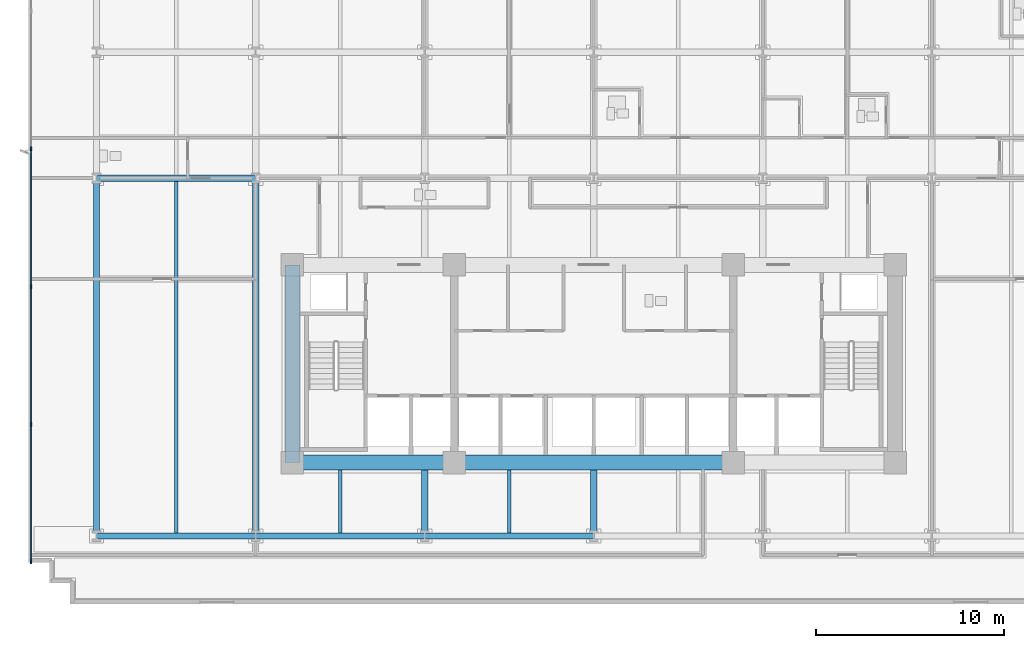
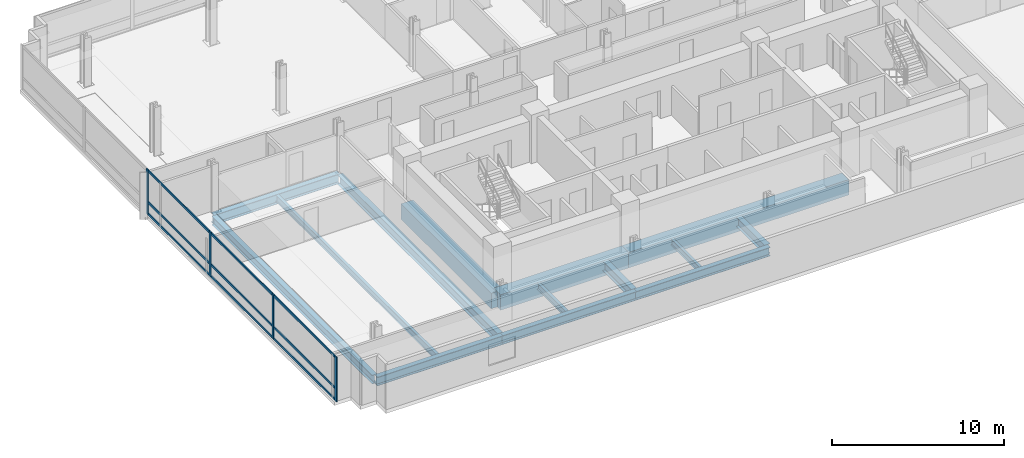
# One storey, part 2 of 17: 14 beams, 13 members, 1 element without a shape of its own.
"""IFC4 building model written with IfcOpenShell, lengths in metres."""

from ifc_helpers import new_model, si_unit, direction, frame, origin, origin_2d, place, context, subcontext, project, spatial, rectangle, i_section, extrude, material, material_profile, profile_set, type_object, element, aggregate, save


model = new_model("IFC4")

# Units and contexts
model_context = context("Model", 3, precision=1e-05, world=origin(), true_north=direction((0.0, 1.0)))
body_context = subcontext(model_context, "Body", "Model", "MODEL_VIEW")
ifc_project = project(units=[si_unit("LENGTHUNIT", "METRE"), si_unit("AREAUNIT", "SQUARE_METRE"), si_unit("VOLUMEUNIT", "CUBIC_METRE"), si_unit("PLANEANGLEUNIT", "RADIAN"), si_unit("MASSUNIT", "GRAM", prefix="KILO")], contexts=[model_context])

# Site, building, storey
site_placement = place(None, origin())
site = spatial("IfcSite", under=ifc_project, at=site_placement, CompositionType="ELEMENT")
building_placement = place(site_placement, origin())
building = spatial("IfcBuilding", under=site, at=building_placement, Name="Solmavex Isthmus Hotel", CompositionType="ELEMENT")
storey_placement = place(building_placement, frame((0.0, 0.0, 40.199951171875)))
storey = spatial("IfcBuildingStorey", under=building, at=storey_placement, Name="L10", CompositionType="ELEMENT", Elevation=40.199951171875)

# Beams
ifc_material_1 = material(Name="Steel ASTM A992 Grade 50", Category="steel")
ifc_material_profile_1 = material_profile(ifc_material_1, i_section(OverallWidth=0.354736328125, OverallDepth=0.695556640625, WebThickness=0.015380859375, FlangeThickness=0.02490234375, FilletRadius=0.017822265625, at=origin_2d()), Name="W27X146")
ifc_profile_set_1 = profile_set([ifc_material_profile_1], Name="Steel ASTM A992 Grade 50")
beam_type_1 = type_object("IfcBeamType", Name="BM-BG-W27X146", PredefinedType="BEAM", material=ifc_profile_set_1)
beam_1_placement = place(storey_placement, frame((-26.39990234375, 2.10009765625, -0.607666015625), z_axis=(1.0, 0.0, 0.0), x_axis=(0.0, 1.0, 0.0)))
element("IfcBeam", 1, at=beam_1_placement, inside=storey, type_object=beam_type_1, Name="Floor Girder L10-UG07", PredefinedType="BEAM", context=body_context, shape_type="SweptSolid", body=[
    extrude(i_section(OverallWidth=0.354736328125, OverallDepth=0.695556640625, WebThickness=0.015380859375, FlangeThickness=0.02490234375, FilletRadius=0.017822265625, at=origin_2d()), origin(), (0.0, 0.0, 1.0), 8.447998046875),
])
beam_2_placement = place(storey_placement, frame((-17.951904296875, -16.73681640625, -0.607666015625), z_axis=(0.0, 1.0, 0.0), x_axis=(-1.0, 0.0, 0.0)))
element("IfcBeam", 2, at=beam_2_placement, inside=storey, type_object=beam_type_1, Name="Floor Beam L10-VG28", PredefinedType="BEAM", context=body_context, shape_type="SweptSolid", body=[
    extrude(i_section(OverallWidth=0.354736328125, OverallDepth=0.695556640625, WebThickness=0.015380859375, FlangeThickness=0.02490234375, FilletRadius=0.017822265625, at=origin_2d()), origin(), (0.0, 0.0, 1.0), 18.659423828125),
])
for number, where, z_axis, x_axis, name in (
    (3, (-8.97607421875, -16.73681640625, -0.607666015625), (0.0, 1.0, 0.0), (-1.0, 0.0, 0.0), "Floor Beam L10-VG31"),
    (4, (0.0, -16.73681640625, -0.607666015625), (0.0, 1.0, 0.0), (-1.0, 0.0, 0.0), "Floor Beam L10-VG35"),
):
    element("IfcBeam", number, at=place(storey_placement, frame(where, z_axis=z_axis, x_axis=x_axis)), inside=storey, type_object=beam_type_1, Name=name, PredefinedType="BEAM", context=body_context, shape_type="SweptSolid", body=[
        extrude(i_section(OverallWidth=0.354736328125, OverallDepth=0.695556640625, WebThickness=0.015380859375, FlangeThickness=0.02490234375, FilletRadius=0.017822265625, at=origin_2d()), origin(), (0.0, 0.0, 1.0), 3.3369140625),
    ])
ifc_material_profile_2 = material_profile(ifc_material_1, i_section(OverallWidth=0.1904296875, OverallDepth=0.456787109375, WebThickness=0.009033203125, FlangeThickness=0.014404296875, FilletRadius=0.0126953125, at=origin_2d()), Name="W18X50")
ifc_profile_set_2 = profile_set([ifc_material_profile_2], Name="Steel ASTM A992 Grade 50")
beam_type_2 = type_object("IfcBeamType", Name="BM-BJ-W18X50", PredefinedType="JOIST", material=ifc_profile_set_2)
beam_3_placement = place(storey_placement, frame((-22.176025390625, -16.73681640625, -0.48828125), z_axis=(0.0, 1.0, 0.0), x_axis=(-1.0, 0.0, 0.0)))
element("IfcBeam", 5, at=beam_3_placement, inside=storey, type_object=beam_type_2, Name="Secondary Floor Joist L10-J01", PredefinedType="JOIST", context=body_context, shape_type="SweptSolid", body=[
    extrude(i_section(OverallWidth=0.1904296875, OverallDepth=0.456787109375, WebThickness=0.009033203125, FlangeThickness=0.014404296875, FilletRadius=0.0126953125, at=origin_2d()), origin(), (0.0, 0.0, 1.0), 18.659423828125),
])
for number, where, z_axis, x_axis, name in (
    (6, (-13.464111328125, -16.73681640625, -0.48828125), (0.0, 1.0, 0.0), (-1.0, 0.0, 0.0), "Secondary Floor Joist L10-J04"),
    (7, (-4.488037109375, -16.73681640625, -0.48828125), (0.0, 1.0, 0.0), (-1.0, 0.0, 0.0), "Secondary Floor Joist L10-J08"),
):
    element("IfcBeam", number, at=place(storey_placement, frame(where, z_axis=z_axis, x_axis=x_axis)), inside=storey, type_object=beam_type_2, Name=name, PredefinedType="JOIST", context=body_context, shape_type="SweptSolid", body=[
        extrude(i_section(OverallWidth=0.1904296875, OverallDepth=0.456787109375, WebThickness=0.009033203125, FlangeThickness=0.014404296875, FilletRadius=0.0126953125, at=origin_2d()), origin(), (0.0, 0.0, 1.0), 3.3369140625),
    ])
ifc_material_2 = material(Name="Concrete C70/85", Category="concrete")
ifc_material_profile_3 = material_profile(ifc_material_2, rectangle(XDim=0.800048828125, YDim=1.10009765625, at=origin_2d()), Name="RC800X1100")
ifc_profile_set_3 = profile_set([ifc_material_profile_3], Name="Concrete C70/85")
beam_type_3 = type_object("IfcBeamType", Name="BM-CB-800X1100", PredefinedType="BEAM", material=ifc_profile_set_3)
beam_4_placement = place(storey_placement, frame((-16.0, -13.0, -0.81005859375), z_axis=(1.0, 0.0, 0.0), x_axis=(0.0, 1.0, 0.0)))
element("IfcBeam", 8, at=beam_4_placement, inside=storey, type_object=beam_type_3, Name="Core Coupling Beam L10-CB1", PredefinedType="BEAM", context=body_context, shape_type="SweptSolid", body=[
    extrude(rectangle(XDim=0.800048828125, YDim=1.10009765625, at=origin_2d()), origin(), (0.0, 0.0, 1.0), 8.60009765625),
])
beam_5_placement = place(storey_placement, frame((-7.39990234375, -13.0, -0.81005859375), z_axis=(1.0, 0.0, 0.0), x_axis=(0.0, 1.0, 0.0)))
element("IfcBeam", 9, at=beam_5_placement, inside=storey, type_object=beam_type_3, Name="Core Coupling Beam L10-CB2", PredefinedType="BEAM", context=body_context, shape_type="SweptSolid", body=[
    extrude(rectangle(XDim=0.800048828125, YDim=1.10009765625, at=origin_2d()), origin(), (0.0, 0.0, 1.0), 14.7998046875),
])
beam_6_placement = place(storey_placement, frame((-16.0, -13.0, -0.81005859375), z_axis=(0.0, 1.0, 0.0), x_axis=(-1.0, 0.0, 0.0)))
element("IfcBeam", 10, at=beam_6_placement, inside=storey, type_object=beam_type_3, Name="Core Coupling Beam L10-CB7", PredefinedType="BEAM", context=body_context, shape_type="SweptSolid", body=[
    extrude(rectangle(XDim=0.800048828125, YDim=1.10009765625, at=origin_2d()), origin(), (0.0, 0.0, 1.0), 10.5),
])
ifc_material_profile_4 = material_profile(ifc_material_1, i_section(OverallWidth=0.326416015625, OverallDepth=0.621826171875, WebThickness=0.015380859375, FlangeThickness=0.0244140625, FilletRadius=0.01513671875, at=origin_2d()), Name="W24X131")
ifc_profile_set_4 = profile_set([ifc_material_profile_4], Name="Steel ASTM A992 Grade 50")
beam_type_4 = type_object("IfcBeamType", Name="BM-SP-W24X131", PredefinedType="SPANDREL", material=ifc_profile_set_4)
beam_7_placement = place(storey_placement, frame((-26.39990234375, -16.89990234375, -0.57080078125), z_axis=(1.0, 0.0, 0.0), x_axis=(0.0, 1.0, 0.0)))
element("IfcBeam", 11, at=beam_7_placement, inside=storey, type_object=beam_type_4, Name="Floor Girder L10-UG01", PredefinedType="SPANDREL", context=body_context, shape_type="SweptSolid", body=[
    extrude(i_section(OverallWidth=0.326416015625, OverallDepth=0.621826171875, WebThickness=0.015380859375, FlangeThickness=0.0244140625, FilletRadius=0.01513671875, at=origin_2d()), origin(), (0.0, 0.0, 1.0), 8.447998046875),
])
beam_8_placement = place(storey_placement, frame((-17.951904296875, -16.89990234375, -0.57080078125), z_axis=(1.0, 0.0, 0.0), x_axis=(0.0, 1.0, 0.0)))
element("IfcBeam", 12, at=beam_8_placement, inside=storey, type_object=beam_type_4, Name="Floor Girder L10-UG02", PredefinedType="SPANDREL", context=body_context, shape_type="SweptSolid", body=[
    extrude(i_section(OverallWidth=0.326416015625, OverallDepth=0.621826171875, WebThickness=0.015380859375, FlangeThickness=0.0244140625, FilletRadius=0.01513671875, at=origin_2d()), origin(), (0.0, 0.0, 1.0), 8.975830078125),
])
beam_9_placement = place(storey_placement, frame((-8.97607421875, -16.89990234375, -0.57080078125), z_axis=(1.0, 0.0, 0.0), x_axis=(0.0, 1.0, 0.0)))
element("IfcBeam", 13, at=beam_9_placement, inside=storey, type_object=beam_type_4, Name="Floor Girder L10-UG03", PredefinedType="SPANDREL", context=body_context, shape_type="SweptSolid", body=[
    extrude(i_section(OverallWidth=0.326416015625, OverallDepth=0.621826171875, WebThickness=0.015380859375, FlangeThickness=0.0244140625, FilletRadius=0.01513671875, at=origin_2d()), origin(), (0.0, 0.0, 1.0), 8.97607421875),
])
beam_10_placement = place(storey_placement, frame((-26.39990234375, -16.73681640625, -0.57080078125), z_axis=(0.0, 1.0, 0.0), x_axis=(-1.0, 0.0, 0.0)))
element("IfcBeam", 14, at=beam_10_placement, inside=storey, type_object=beam_type_4, Name="Floor Beam L10-VG25", PredefinedType="SPANDREL", context=body_context, shape_type="SweptSolid", body=[
    extrude(i_section(OverallWidth=0.326416015625, OverallDepth=0.621826171875, WebThickness=0.015380859375, FlangeThickness=0.0244140625, FilletRadius=0.01513671875, at=origin_2d()), origin(), (0.0, 0.0, 1.0), 18.659423828125),
])

# Curtain wall, members
ifc_material_3 = material(Name="Aluminium alloy 6063-T6", Category="aluminium")
curtain_wall_type = type_object("IfcCurtainWallType", Name="CW-SYS-02", PredefinedType="NOTDEFINED", material=ifc_material_3)
curtain_wall_placement = place(storey_placement, origin())
curtain_wall = element("IfcCurtainWall", 15, at=curtain_wall_placement, inside=storey, type_object=curtain_wall_type, Name="Stick Curtain Wall CWL-L10-W1", PredefinedType="NOTDEFINED")
ifc_material_profile_5 = material_profile(ifc_material_3, rectangle(XDim=0.074951171875, YDim=0.219970703125, at=origin_2d()), Name="CWM-75X220")
ifc_profile_set_5 = profile_set([ifc_material_profile_5], Name="Aluminium alloy 6063-T6")
member_type_1 = type_object("IfcMemberType", Name="CW-SYS-02-MUL", PredefinedType="MULLION", material=ifc_profile_set_5)
member_1_placement = place(storey_placement, frame((-29.8798828125, -18.262451171875, 0.0), z_axis=(0.0, 0.0, 1.0), x_axis=(-1.0, 0.0, 0.0)))
member_1 = element("IfcMember", 16, at=member_1_placement, type_object=member_type_1, Name="CW-02 mullion 1", PredefinedType="MULLION", context=body_context, shape_type="SweptSolid", body=[
    extrude(rectangle(XDim=0.074951171875, YDim=0.219970703125, at=origin_2d()), origin(), (0.0, 0.0, 1.0), 3.18994140625),
])
member_2_placement = place(storey_placement, frame((-29.8798828125, -10.97998046875, 0.0), z_axis=(0.0, 0.0, 1.0), x_axis=(-1.0, 0.0, 0.0)))
member_2 = element("IfcMember", 17, at=member_2_placement, type_object=member_type_1, Name="CW-02 mullion 2", PredefinedType="MULLION", context=body_context, shape_type="SweptSolid", body=[
    extrude(rectangle(XDim=0.074951171875, YDim=0.219970703125, at=origin_2d()), origin(), (0.0, 0.0, 1.0), 3.18994140625),
])
member_3_placement = place(storey_placement, frame((-29.8798828125, -3.659912109375, 0.0), z_axis=(0.0, 0.0, 1.0), x_axis=(-1.0, 0.0, 0.0)))
member_3 = element("IfcMember", 18, at=member_3_placement, type_object=member_type_1, Name="CW-02 mullion 3", PredefinedType="MULLION", context=body_context, shape_type="SweptSolid", body=[
    extrude(rectangle(XDim=0.074951171875, YDim=0.219970703125, at=origin_2d()), origin(), (0.0, 0.0, 1.0), 3.18994140625),
])
member_4_placement = place(storey_placement, frame((-29.8798828125, 3.659912109375, 0.0), z_axis=(0.0, 0.0, 1.0), x_axis=(-1.0, 0.0, 0.0)))
member_4 = element("IfcMember", 19, at=member_4_placement, type_object=member_type_1, Name="CW-02 mullion 4", PredefinedType="MULLION", context=body_context, shape_type="SweptSolid", body=[
    extrude(rectangle(XDim=0.074951171875, YDim=0.219970703125, at=origin_2d()), origin(), (0.0, 0.0, 1.0), 3.18994140625),
])
ifc_material_profile_6 = material_profile(ifc_material_3, rectangle(XDim=0.074951171875, YDim=0.159912109375, at=origin_2d()), Name="CWT-75X160")
ifc_profile_set_6 = profile_set([ifc_material_profile_6], Name="Aluminium alloy 6063-T6")
member_type_2 = type_object("IfcMemberType", Name="CW-SYS-02-TRN", PredefinedType="USERDEFINED", material=ifc_profile_set_6)
member_5_placement = place(storey_placement, frame((-29.8798828125, -18.22509765625, 0.080078125), z_axis=(0.0, 1.0, 0.0), x_axis=(-1.0, 0.0, 0.0)))
member_5 = element("IfcMember", 20, at=member_5_placement, type_object=member_type_2, Name="CW-02 transom 1.1", ObjectType="TRANSOM", PredefinedType="USERDEFINED", context=body_context, shape_type="SweptSolid", body=[
    extrude(rectangle(XDim=0.074951171875, YDim=0.159912109375, at=origin_2d()), origin(), (0.0, 0.0, 1.0), 7.20751953125),
])
member_6_placement = place(storey_placement, frame((-29.8798828125, -18.22509765625, 0.900146484375), z_axis=(0.0, 1.0, 0.0), x_axis=(-1.0, 0.0, 0.0)))
member_6 = element("IfcMember", 21, at=member_6_placement, type_object=member_type_2, Name="CW-02 transom 1.2", ObjectType="TRANSOM", PredefinedType="USERDEFINED", context=body_context, shape_type="SweptSolid", body=[
    extrude(rectangle(XDim=0.074951171875, YDim=0.159912109375, at=origin_2d()), origin(), (0.0, 0.0, 1.0), 7.20751953125),
])
member_7_placement = place(storey_placement, frame((-29.8798828125, -18.22509765625, 3.110107421875), z_axis=(0.0, 1.0, 0.0), x_axis=(-1.0, 0.0, 0.0)))
member_7 = element("IfcMember", 22, at=member_7_placement, type_object=member_type_2, Name="CW-02 transom 1.3", ObjectType="TRANSOM", PredefinedType="USERDEFINED", context=body_context, shape_type="SweptSolid", body=[
    extrude(rectangle(XDim=0.074951171875, YDim=0.159912109375, at=origin_2d()), origin(), (0.0, 0.0, 1.0), 7.20751953125),
])
member_8_placement = place(storey_placement, frame((-29.8798828125, -10.9423828125, 0.080078125), z_axis=(0.0, 1.0, 0.0), x_axis=(-1.0, 0.0, 0.0)))
member_8 = element("IfcMember", 23, at=member_8_placement, type_object=member_type_2, Name="CW-02 transom 2.1", ObjectType="TRANSOM", PredefinedType="USERDEFINED", context=body_context, shape_type="SweptSolid", body=[
    extrude(rectangle(XDim=0.074951171875, YDim=0.159912109375, at=origin_2d()), origin(), (0.0, 0.0, 1.0), 7.244873046875),
])
member_9_placement = place(storey_placement, frame((-29.8798828125, -10.9423828125, 0.900146484375), z_axis=(0.0, 1.0, 0.0), x_axis=(-1.0, 0.0, 0.0)))
member_9 = element("IfcMember", 24, at=member_9_placement, type_object=member_type_2, Name="CW-02 transom 2.2", ObjectType="TRANSOM", PredefinedType="USERDEFINED", context=body_context, shape_type="SweptSolid", body=[
    extrude(rectangle(XDim=0.074951171875, YDim=0.159912109375, at=origin_2d()), origin(), (0.0, 0.0, 1.0), 7.244873046875),
])
member_10_placement = place(storey_placement, frame((-29.8798828125, -10.9423828125, 3.110107421875), z_axis=(0.0, 1.0, 0.0), x_axis=(-1.0, 0.0, 0.0)))
member_10 = element("IfcMember", 25, at=member_10_placement, type_object=member_type_2, Name="CW-02 transom 2.3", ObjectType="TRANSOM", PredefinedType="USERDEFINED", context=body_context, shape_type="SweptSolid", body=[
    extrude(rectangle(XDim=0.074951171875, YDim=0.159912109375, at=origin_2d()), origin(), (0.0, 0.0, 1.0), 7.244873046875),
])
member_11_placement = place(storey_placement, frame((-29.8798828125, -3.62255859375, 0.080078125), z_axis=(0.0, 1.0, 0.0), x_axis=(-1.0, 0.0, 0.0)))
member_11 = element("IfcMember", 26, at=member_11_placement, type_object=member_type_2, Name="CW-02 transom 3.1", ObjectType="TRANSOM", PredefinedType="USERDEFINED", context=body_context, shape_type="SweptSolid", body=[
    extrude(rectangle(XDim=0.074951171875, YDim=0.159912109375, at=origin_2d()), origin(), (0.0, 0.0, 1.0), 7.2451171875),
])
member_12_placement = place(storey_placement, frame((-29.8798828125, -3.62255859375, 0.900146484375), z_axis=(0.0, 1.0, 0.0), x_axis=(-1.0, 0.0, 0.0)))
member_12 = element("IfcMember", 27, at=member_12_placement, type_object=member_type_2, Name="CW-02 transom 3.2", ObjectType="TRANSOM", PredefinedType="USERDEFINED", context=body_context, shape_type="SweptSolid", body=[
    extrude(rectangle(XDim=0.074951171875, YDim=0.159912109375, at=origin_2d()), origin(), (0.0, 0.0, 1.0), 7.2451171875),
])
member_13_placement = place(storey_placement, frame((-29.8798828125, -3.62255859375, 3.110107421875), z_axis=(0.0, 1.0, 0.0), x_axis=(-1.0, 0.0, 0.0)))
member_13 = element("IfcMember", 28, at=member_13_placement, type_object=member_type_2, Name="CW-02 transom 3.3", ObjectType="TRANSOM", PredefinedType="USERDEFINED", context=body_context, shape_type="SweptSolid", body=[
    extrude(rectangle(XDim=0.074951171875, YDim=0.159912109375, at=origin_2d()), origin(), (0.0, 0.0, 1.0), 7.2451171875),
])
aggregate(curtain_wall, [member_1, member_2, member_3, member_4, member_5, member_6, member_7, member_8, member_9, member_10, member_11, member_12, member_13])

save(model, "model.ifc")
